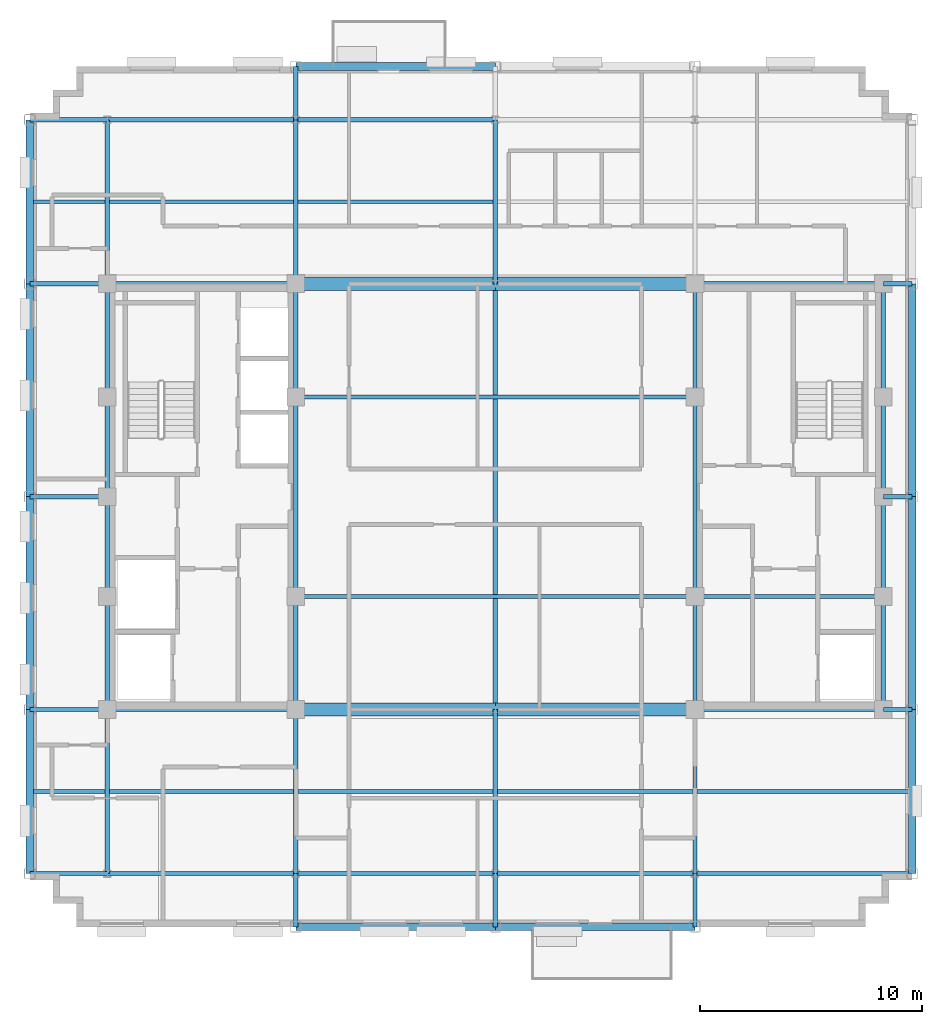
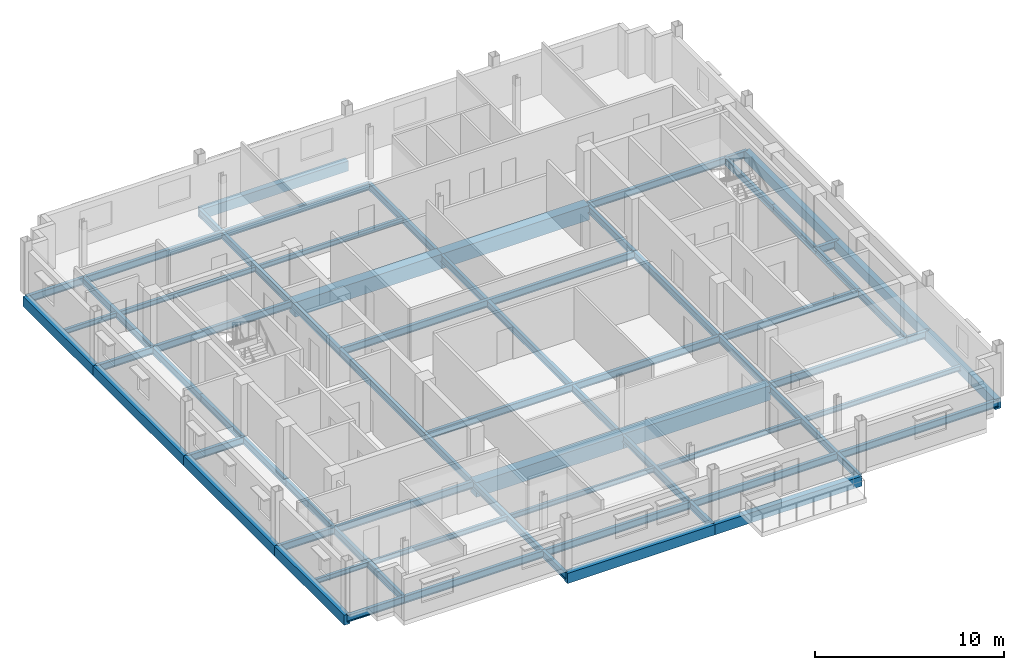
# One storey, part 4 of 13: 69 beams.
"""IFC4 building model written with IfcOpenShell, lengths in metres."""

from ifc_helpers import new_model, si_unit, direction, frame, origin, origin_2d, place, context, subcontext, project, spatial, rectangle, i_section, extrude, material, material_profile, profile_set, type_object, element, save


model = new_model("IFC4")

# Units and contexts
model_context = context("Model", 3, precision=1e-05, world=origin(), true_north=direction((0.0, 1.0)))
body_context = subcontext(model_context, "Body", "Model", "MODEL_VIEW")
ifc_project = project(units=[si_unit("LENGTHUNIT", "METRE"), si_unit("AREAUNIT", "SQUARE_METRE"), si_unit("VOLUMEUNIT", "CUBIC_METRE"), si_unit("PLANEANGLEUNIT", "RADIAN"), si_unit("MASSUNIT", "GRAM", prefix="KILO")], contexts=[model_context])

# Site, building, storey
site_placement = place(None, origin())
site = spatial("IfcSite", under=ifc_project, at=site_placement, CompositionType="ELEMENT")
building_placement = place(site_placement, origin())
building = spatial("IfcBuilding", under=site, at=building_placement, Name="Nuvemarco Arch Tower", CompositionType="ELEMENT")
storey_placement = place(building_placement, frame((0.0, 0.0, 276.199951171875)))
storey = spatial("IfcBuildingStorey", under=building, at=storey_placement, Name="L73", CompositionType="ELEMENT", Elevation=276.199951171875)

# Beams
ifc_material_1 = material(Name="Concrete C60/75", Category="concrete")
ifc_material_profile_1 = material_profile(ifc_material_1, rectangle(XDim=0.60009765625, YDim=0.949951171875, at=origin_2d()), Name="RC-BM-600x950")
ifc_profile_set_1 = profile_set([ifc_material_profile_1], Name="Concrete C60/75")
beam_type_1 = type_object("IfcBeamType", Name="BM-COUP-RC", PredefinedType="LINTEL", material=ifc_profile_set_1)
for number, where, z_axis, x_axis, name in (
    (1, (-9.0, -9.60009765625, -0.7548828125), (1.0, 0.0, 0.0), (0.0, 1.0, 0.0), "L73 structural beam BGEW_L73_0_-9.6_-9.0"),
    (2, (0.0, -9.60009765625, -0.7548828125), (1.0, 0.0, 0.0), (0.0, 1.0, 0.0), "L73 structural beam BGEW_L73_0_-9.6_+0.0"),
    (3, (-9.0, 9.60009765625, -0.7548828125), (1.0, 0.0, 0.0), (0.0, 1.0, 0.0), "L73 structural beam BGEW_L73_0_+9.6_-9.0"),
    (4, (0.0, 9.60009765625, -0.7548828125), (1.0, 0.0, 0.0), (0.0, 1.0, 0.0), "L73 structural beam BGEW_L73_0_+9.6_+0.0"),
):
    element("IfcBeam", number, at=place(storey_placement, frame(where, z_axis=z_axis, x_axis=x_axis)), inside=storey, type_object=beam_type_1, Name=name, PredefinedType="LINTEL", context=body_context, shape_type="SweptSolid", body=[
        extrude(rectangle(XDim=0.60009765625, YDim=0.949951171875, at=origin_2d()), origin(), (0.0, 0.0, 1.0), 9.0),
    ])
ifc_material_2 = material(Name="Steel S355", Category="steel")
ifc_material_profile_2 = material_profile(ifc_material_2, i_section(OverallWidth=0.19189453125, OverallDepth=0.462890625, WebThickness=0.010498046875, FlangeThickness=0.017578125, FilletRadius=0.014892578125, at=origin_2d()), Name="W460x89")
ifc_profile_set_2 = profile_set([ifc_material_profile_2], Name="Steel S355")
beam_type_2 = type_object("IfcBeamType", Name="BM-GIRD-460", PredefinedType="BEAM", material=ifc_profile_set_2)
beam_1_placement = place(storey_placement, frame((-17.5, -17.0, -0.511474609375), z_axis=(0.0, 1.0, 0.0), x_axis=(-1.0, 0.0, 0.0)))
element("IfcBeam", 5, at=beam_1_placement, inside=storey, type_object=beam_type_2, Name="L73 structural beam BGNS_L73_0_-17.5_-17.0", PredefinedType="BEAM", context=body_context, shape_type="SweptSolid", body=[
    extrude(i_section(OverallWidth=0.19189453125, OverallDepth=0.462890625, WebThickness=0.010498046875, FlangeThickness=0.017578125, FilletRadius=0.014892578125, at=origin_2d()), origin(), (0.0, 0.0, 1.0), 7.39990234375),
])
beam_2_placement = place(storey_placement, frame((-17.5, -9.60009765625, -0.511474609375), z_axis=(0.0, 1.0, 0.0), x_axis=(-1.0, 0.0, 0.0)))
element("IfcBeam", 6, at=beam_2_placement, inside=storey, type_object=beam_type_2, Name="L73 structural beam BGNS_L73_0_-17.5_-9.6", PredefinedType="BEAM", context=body_context, shape_type="SweptSolid", body=[
    extrude(i_section(OverallWidth=0.19189453125, OverallDepth=0.462890625, WebThickness=0.010498046875, FlangeThickness=0.017578125, FilletRadius=0.014892578125, at=origin_2d()), origin(), (0.0, 0.0, 1.0), 5.10009765625),
])
for number, where, z_axis, x_axis, name in (
    (7, (-17.5, -4.5, -0.511474609375), (0.0, 1.0, 0.0), (-1.0, 0.0, 0.0), "L73 structural beam BGNS_L73_0_-17.5_-4.5"),
    (8, (-17.5, 0.0, -0.511474609375), (0.0, 1.0, 0.0), (-1.0, 0.0, 0.0), "L73 structural beam BGNS_L73_0_-17.5_+0.0"),
):
    element("IfcBeam", number, at=place(storey_placement, frame(where, z_axis=z_axis, x_axis=x_axis)), inside=storey, type_object=beam_type_2, Name=name, PredefinedType="BEAM", context=body_context, shape_type="SweptSolid", body=[
        extrude(i_section(OverallWidth=0.19189453125, OverallDepth=0.462890625, WebThickness=0.010498046875, FlangeThickness=0.017578125, FilletRadius=0.014892578125, at=origin_2d()), origin(), (0.0, 0.0, 1.0), 4.5),
    ])
beam_3_placement = place(storey_placement, frame((-17.5, 4.5, -0.511474609375), z_axis=(0.0, 1.0, 0.0), x_axis=(-1.0, 0.0, 0.0)))
element("IfcBeam", 9, at=beam_3_placement, inside=storey, type_object=beam_type_2, Name="L73 structural beam BGNS_L73_0_-17.5_+4.5", PredefinedType="BEAM", context=body_context, shape_type="SweptSolid", body=[
    extrude(i_section(OverallWidth=0.19189453125, OverallDepth=0.462890625, WebThickness=0.010498046875, FlangeThickness=0.017578125, FilletRadius=0.014892578125, at=origin_2d()), origin(), (0.0, 0.0, 1.0), 5.10009765625),
])
beam_4_placement = place(storey_placement, frame((-17.5, 9.60009765625, -0.511474609375), z_axis=(0.0, 1.0, 0.0), x_axis=(-1.0, 0.0, 0.0)))
element("IfcBeam", 10, at=beam_4_placement, inside=storey, type_object=beam_type_2, Name="L73 structural beam BGNS_L73_0_-17.5_+9.6", PredefinedType="BEAM", context=body_context, shape_type="SweptSolid", body=[
    extrude(i_section(OverallWidth=0.19189453125, OverallDepth=0.462890625, WebThickness=0.010498046875, FlangeThickness=0.017578125, FilletRadius=0.014892578125, at=origin_2d()), origin(), (0.0, 0.0, 1.0), 7.39990234375),
])
beam_5_placement = place(storey_placement, frame((-9.0, -19.39990234375, -0.511474609375), z_axis=(0.0, 1.0, 0.0), x_axis=(-1.0, 0.0, 0.0)))
element("IfcBeam", 11, at=beam_5_placement, inside=storey, type_object=beam_type_2, Name="L73 structural beam BGNS_L73_0_-9.0_-19.4", PredefinedType="BEAM", context=body_context, shape_type="SweptSolid", body=[
    extrude(i_section(OverallWidth=0.19189453125, OverallDepth=0.462890625, WebThickness=0.010498046875, FlangeThickness=0.017578125, FilletRadius=0.014892578125, at=origin_2d()), origin(), (0.0, 0.0, 1.0), 2.39990234375),
])
beam_6_placement = place(storey_placement, frame((-9.0, -17.0, -0.511474609375), z_axis=(0.0, 1.0, 0.0), x_axis=(-1.0, 0.0, 0.0)))
element("IfcBeam", 12, at=beam_6_placement, inside=storey, type_object=beam_type_2, Name="L73 structural beam BGNS_L73_0_-9.0_-17.0", PredefinedType="BEAM", context=body_context, shape_type="SweptSolid", body=[
    extrude(i_section(OverallWidth=0.19189453125, OverallDepth=0.462890625, WebThickness=0.010498046875, FlangeThickness=0.017578125, FilletRadius=0.014892578125, at=origin_2d()), origin(), (0.0, 0.0, 1.0), 7.39990234375),
])
beam_7_placement = place(storey_placement, frame((-9.0, -9.60009765625, -0.511474609375), z_axis=(0.0, 1.0, 0.0), x_axis=(-1.0, 0.0, 0.0)))
element("IfcBeam", 13, at=beam_7_placement, inside=storey, type_object=beam_type_2, Name="L73 structural beam BGNS_L73_0_-9.0_-9.6", PredefinedType="BEAM", context=body_context, shape_type="SweptSolid", body=[
    extrude(i_section(OverallWidth=0.19189453125, OverallDepth=0.462890625, WebThickness=0.010498046875, FlangeThickness=0.017578125, FilletRadius=0.014892578125, at=origin_2d()), origin(), (0.0, 0.0, 1.0), 5.10009765625),
])
beam_8_placement = place(storey_placement, frame((-9.0, -4.5, -0.511474609375), z_axis=(0.0, 1.0, 0.0), x_axis=(-1.0, 0.0, 0.0)))
element("IfcBeam", 14, at=beam_8_placement, inside=storey, type_object=beam_type_2, Name="L73 structural beam BGNS_L73_0_-9.0_-4.5", PredefinedType="BEAM", context=body_context, shape_type="SweptSolid", body=[
    extrude(i_section(OverallWidth=0.19189453125, OverallDepth=0.462890625, WebThickness=0.010498046875, FlangeThickness=0.017578125, FilletRadius=0.014892578125, at=origin_2d()), origin(), (0.0, 0.0, 1.0), 9.0),
])
beam_9_placement = place(storey_placement, frame((-9.0, 4.5, -0.511474609375), z_axis=(0.0, 1.0, 0.0), x_axis=(-1.0, 0.0, 0.0)))
element("IfcBeam", 15, at=beam_9_placement, inside=storey, type_object=beam_type_2, Name="L73 structural beam BGNS_L73_0_-9.0_+4.5", PredefinedType="BEAM", context=body_context, shape_type="SweptSolid", body=[
    extrude(i_section(OverallWidth=0.19189453125, OverallDepth=0.462890625, WebThickness=0.010498046875, FlangeThickness=0.017578125, FilletRadius=0.014892578125, at=origin_2d()), origin(), (0.0, 0.0, 1.0), 5.10009765625),
])
beam_10_placement = place(storey_placement, frame((-9.0, 9.60009765625, -0.511474609375), z_axis=(0.0, 1.0, 0.0), x_axis=(-1.0, 0.0, 0.0)))
element("IfcBeam", 16, at=beam_10_placement, inside=storey, type_object=beam_type_2, Name="L73 structural beam BGNS_L73_0_-9.0_+9.6", PredefinedType="BEAM", context=body_context, shape_type="SweptSolid", body=[
    extrude(i_section(OverallWidth=0.19189453125, OverallDepth=0.462890625, WebThickness=0.010498046875, FlangeThickness=0.017578125, FilletRadius=0.014892578125, at=origin_2d()), origin(), (0.0, 0.0, 1.0), 7.39990234375),
])
for number, where, z_axis, x_axis, name in (
    (17, (-9.0, 17.0, -0.511474609375), (0.0, 1.0, 0.0), (-1.0, 0.0, 0.0), "L73 structural beam BGNS_L73_0_-9.0_+17.0"),
    (18, (0.0, -19.39990234375, -0.511474609375), (0.0, 1.0, 0.0), (-1.0, 0.0, 0.0), "L73 structural beam BGNS_L73_0_+0.0_-19.4"),
):
    element("IfcBeam", number, at=place(storey_placement, frame(where, z_axis=z_axis, x_axis=x_axis)), inside=storey, type_object=beam_type_2, Name=name, PredefinedType="BEAM", context=body_context, shape_type="SweptSolid", body=[
        extrude(i_section(OverallWidth=0.19189453125, OverallDepth=0.462890625, WebThickness=0.010498046875, FlangeThickness=0.017578125, FilletRadius=0.014892578125, at=origin_2d()), origin(), (0.0, 0.0, 1.0), 2.39990234375),
    ])
beam_11_placement = place(storey_placement, frame((0.0, -17.0, -0.511474609375), z_axis=(0.0, 1.0, 0.0), x_axis=(-1.0, 0.0, 0.0)))
element("IfcBeam", 19, at=beam_11_placement, inside=storey, type_object=beam_type_2, Name="L73 structural beam BGNS_L73_0_+0.0_-17.0", PredefinedType="BEAM", context=body_context, shape_type="SweptSolid", body=[
    extrude(i_section(OverallWidth=0.19189453125, OverallDepth=0.462890625, WebThickness=0.010498046875, FlangeThickness=0.017578125, FilletRadius=0.014892578125, at=origin_2d()), origin(), (0.0, 0.0, 1.0), 7.39990234375),
])
beam_12_placement = place(storey_placement, frame((0.0, -9.60009765625, -0.511474609375), z_axis=(0.0, 1.0, 0.0), x_axis=(-1.0, 0.0, 0.0)))
element("IfcBeam", 20, at=beam_12_placement, inside=storey, type_object=beam_type_2, Name="L73 structural beam BGNS_L73_0_+0.0_-9.6", PredefinedType="BEAM", context=body_context, shape_type="SweptSolid", body=[
    extrude(i_section(OverallWidth=0.19189453125, OverallDepth=0.462890625, WebThickness=0.010498046875, FlangeThickness=0.017578125, FilletRadius=0.014892578125, at=origin_2d()), origin(), (0.0, 0.0, 1.0), 19.2001953125),
])
beam_13_placement = place(storey_placement, frame((0.0, 9.60009765625, -0.511474609375), z_axis=(0.0, 1.0, 0.0), x_axis=(-1.0, 0.0, 0.0)))
element("IfcBeam", 21, at=beam_13_placement, inside=storey, type_object=beam_type_2, Name="L73 structural beam BGNS_L73_0_+0.0_+9.6", PredefinedType="BEAM", context=body_context, shape_type="SweptSolid", body=[
    extrude(i_section(OverallWidth=0.19189453125, OverallDepth=0.462890625, WebThickness=0.010498046875, FlangeThickness=0.017578125, FilletRadius=0.014892578125, at=origin_2d()), origin(), (0.0, 0.0, 1.0), 7.39990234375),
])
beam_14_placement = place(storey_placement, frame((9.0, -19.39990234375, -0.511474609375), z_axis=(0.0, 1.0, 0.0), x_axis=(-1.0, 0.0, 0.0)))
element("IfcBeam", 22, at=beam_14_placement, inside=storey, type_object=beam_type_2, Name="L73 structural beam BGNS_L73_0_+9.0_-19.4", PredefinedType="BEAM", context=body_context, shape_type="SweptSolid", body=[
    extrude(i_section(OverallWidth=0.19189453125, OverallDepth=0.462890625, WebThickness=0.010498046875, FlangeThickness=0.017578125, FilletRadius=0.014892578125, at=origin_2d()), origin(), (0.0, 0.0, 1.0), 2.39990234375),
])
beam_15_placement = place(storey_placement, frame((9.0, -17.0, -0.511474609375), z_axis=(0.0, 1.0, 0.0), x_axis=(-1.0, 0.0, 0.0)))
element("IfcBeam", 23, at=beam_15_placement, inside=storey, type_object=beam_type_2, Name="L73 structural beam BGNS_L73_0_+9.0_-17.0", PredefinedType="BEAM", context=body_context, shape_type="SweptSolid", body=[
    extrude(i_section(OverallWidth=0.19189453125, OverallDepth=0.462890625, WebThickness=0.010498046875, FlangeThickness=0.017578125, FilletRadius=0.014892578125, at=origin_2d()), origin(), (0.0, 0.0, 1.0), 7.39990234375),
])
beam_16_placement = place(storey_placement, frame((9.0, -9.60009765625, -0.511474609375), z_axis=(0.0, 1.0, 0.0), x_axis=(-1.0, 0.0, 0.0)))
element("IfcBeam", 24, at=beam_16_placement, inside=storey, type_object=beam_type_2, Name="L73 structural beam BGNS_L73_0_+9.0_-9.6", PredefinedType="BEAM", context=body_context, shape_type="SweptSolid", body=[
    extrude(i_section(OverallWidth=0.19189453125, OverallDepth=0.462890625, WebThickness=0.010498046875, FlangeThickness=0.017578125, FilletRadius=0.014892578125, at=origin_2d()), origin(), (0.0, 0.0, 1.0), 5.10009765625),
])
beam_17_placement = place(storey_placement, frame((9.0, -4.5, -0.511474609375), z_axis=(0.0, 1.0, 0.0), x_axis=(-1.0, 0.0, 0.0)))
element("IfcBeam", 25, at=beam_17_placement, inside=storey, type_object=beam_type_2, Name="L73 structural beam BGNS_L73_0_+9.0_-4.5", PredefinedType="BEAM", context=body_context, shape_type="SweptSolid", body=[
    extrude(i_section(OverallWidth=0.19189453125, OverallDepth=0.462890625, WebThickness=0.010498046875, FlangeThickness=0.017578125, FilletRadius=0.014892578125, at=origin_2d()), origin(), (0.0, 0.0, 1.0), 9.0),
])
for number, where, z_axis, x_axis, name in (
    (26, (9.0, 4.5, -0.511474609375), (0.0, 1.0, 0.0), (-1.0, 0.0, 0.0), "L73 structural beam BGNS_L73_0_+9.0_+4.5"),
    (27, (17.5, -9.60009765625, -0.511474609375), (0.0, 1.0, 0.0), (-1.0, 0.0, 0.0), "L73 structural beam BGNS_L73_0_+17.5_-9.6"),
):
    element("IfcBeam", number, at=place(storey_placement, frame(where, z_axis=z_axis, x_axis=x_axis)), inside=storey, type_object=beam_type_2, Name=name, PredefinedType="BEAM", context=body_context, shape_type="SweptSolid", body=[
        extrude(i_section(OverallWidth=0.19189453125, OverallDepth=0.462890625, WebThickness=0.010498046875, FlangeThickness=0.017578125, FilletRadius=0.014892578125, at=origin_2d()), origin(), (0.0, 0.0, 1.0), 5.10009765625),
    ])
for number, where, z_axis, x_axis, name in (
    (28, (17.5, -4.5, -0.511474609375), (0.0, 1.0, 0.0), (-1.0, 0.0, 0.0), "L73 structural beam BGNS_L73_0_+17.5_-4.5"),
    (29, (17.5, 0.0, -0.511474609375), (0.0, 1.0, 0.0), (-1.0, 0.0, 0.0), "L73 structural beam BGNS_L73_0_+17.5_+0.0"),
):
    element("IfcBeam", number, at=place(storey_placement, frame(where, z_axis=z_axis, x_axis=x_axis)), inside=storey, type_object=beam_type_2, Name=name, PredefinedType="BEAM", context=body_context, shape_type="SweptSolid", body=[
        extrude(i_section(OverallWidth=0.19189453125, OverallDepth=0.462890625, WebThickness=0.010498046875, FlangeThickness=0.017578125, FilletRadius=0.014892578125, at=origin_2d()), origin(), (0.0, 0.0, 1.0), 4.5),
    ])
beam_18_placement = place(storey_placement, frame((17.5, 4.5, -0.511474609375), z_axis=(0.0, 1.0, 0.0), x_axis=(-1.0, 0.0, 0.0)))
element("IfcBeam", 30, at=beam_18_placement, inside=storey, type_object=beam_type_2, Name="L73 structural beam BGNS_L73_0_+17.5_+4.5", PredefinedType="BEAM", context=body_context, shape_type="SweptSolid", body=[
    extrude(i_section(OverallWidth=0.19189453125, OverallDepth=0.462890625, WebThickness=0.010498046875, FlangeThickness=0.017578125, FilletRadius=0.014892578125, at=origin_2d()), origin(), (0.0, 0.0, 1.0), 5.10009765625),
])
beam_19_placement = place(storey_placement, frame((-21.0, -17.0, -0.511474609375), z_axis=(1.0, 0.0, 0.0), x_axis=(0.0, 1.0, 0.0)))
element("IfcBeam", 31, at=beam_19_placement, inside=storey, type_object=beam_type_2, Name="L73 structural beam BGEW_L73_0_-17.0_-21.0", PredefinedType="BEAM", context=body_context, shape_type="SweptSolid", body=[
    extrude(i_section(OverallWidth=0.19189453125, OverallDepth=0.462890625, WebThickness=0.010498046875, FlangeThickness=0.017578125, FilletRadius=0.014892578125, at=origin_2d()), origin(), (0.0, 0.0, 1.0), 3.5),
])
beam_20_placement = place(storey_placement, frame((-17.5, -17.0, -0.511474609375), z_axis=(1.0, 0.0, 0.0), x_axis=(0.0, 1.0, 0.0)))
element("IfcBeam", 32, at=beam_20_placement, inside=storey, type_object=beam_type_2, Name="L73 structural beam BGEW_L73_0_-17.0_-17.5", PredefinedType="BEAM", context=body_context, shape_type="SweptSolid", body=[
    extrude(i_section(OverallWidth=0.19189453125, OverallDepth=0.462890625, WebThickness=0.010498046875, FlangeThickness=0.017578125, FilletRadius=0.014892578125, at=origin_2d()), origin(), (0.0, 0.0, 1.0), 8.5),
])
for number, where, z_axis, x_axis, name in (
    (33, (-9.0, -17.0, -0.511474609375), (1.0, 0.0, 0.0), (0.0, 1.0, 0.0), "L73 structural beam BGEW_L73_0_-17.0_-9.0"),
    (34, (0.0, -17.0, -0.511474609375), (1.0, 0.0, 0.0), (0.0, 1.0, 0.0), "L73 structural beam BGEW_L73_0_-17.0_+0.0"),
):
    element("IfcBeam", number, at=place(storey_placement, frame(where, z_axis=z_axis, x_axis=x_axis)), inside=storey, type_object=beam_type_2, Name=name, PredefinedType="BEAM", context=body_context, shape_type="SweptSolid", body=[
        extrude(i_section(OverallWidth=0.19189453125, OverallDepth=0.462890625, WebThickness=0.010498046875, FlangeThickness=0.017578125, FilletRadius=0.014892578125, at=origin_2d()), origin(), (0.0, 0.0, 1.0), 9.0),
    ])
beam_21_placement = place(storey_placement, frame((9.0, -17.0, -0.511474609375), z_axis=(1.0, 0.0, 0.0), x_axis=(0.0, 1.0, 0.0)))
element("IfcBeam", 35, at=beam_21_placement, inside=storey, type_object=beam_type_2, Name="L73 structural beam BGEW_L73_0_-17.0_+9.0", PredefinedType="BEAM", context=body_context, shape_type="SweptSolid", body=[
    extrude(i_section(OverallWidth=0.19189453125, OverallDepth=0.462890625, WebThickness=0.010498046875, FlangeThickness=0.017578125, FilletRadius=0.014892578125, at=origin_2d()), origin(), (0.0, 0.0, 1.0), 9.800048828125),
])
beam_22_placement = place(storey_placement, frame((-21.0, -9.60009765625, -0.511474609375), z_axis=(1.0, 0.0, 0.0), x_axis=(0.0, 1.0, 0.0)))
element("IfcBeam", 36, at=beam_22_placement, inside=storey, type_object=beam_type_2, Name="L73 structural beam BGEW_L73_0_-9.6_-21.0", PredefinedType="BEAM", context=body_context, shape_type="SweptSolid", body=[
    extrude(i_section(OverallWidth=0.19189453125, OverallDepth=0.462890625, WebThickness=0.010498046875, FlangeThickness=0.017578125, FilletRadius=0.014892578125, at=origin_2d()), origin(), (0.0, 0.0, 1.0), 3.5),
])
for number, where, z_axis, x_axis, name in (
    (37, (-17.5, -9.60009765625, -0.511474609375), (1.0, 0.0, 0.0), (0.0, 1.0, 0.0), "L73 structural beam BGEW_L73_0_-9.6_-17.5"),
    (38, (9.0, -9.60009765625, -0.511474609375), (1.0, 0.0, 0.0), (0.0, 1.0, 0.0), "L73 structural beam BGEW_L73_0_-9.6_+9.0"),
):
    element("IfcBeam", number, at=place(storey_placement, frame(where, z_axis=z_axis, x_axis=x_axis)), inside=storey, type_object=beam_type_2, Name=name, PredefinedType="BEAM", context=body_context, shape_type="SweptSolid", body=[
        extrude(i_section(OverallWidth=0.19189453125, OverallDepth=0.462890625, WebThickness=0.010498046875, FlangeThickness=0.017578125, FilletRadius=0.014892578125, at=origin_2d()), origin(), (0.0, 0.0, 1.0), 8.5),
    ])
beam_23_placement = place(storey_placement, frame((17.5, -9.60009765625, -0.511474609375), z_axis=(1.0, 0.0, 0.0), x_axis=(0.0, 1.0, 0.0)))
element("IfcBeam", 39, at=beam_23_placement, inside=storey, type_object=beam_type_2, Name="L73 structural beam BGEW_L73_0_-9.6_+17.5", PredefinedType="BEAM", context=body_context, shape_type="SweptSolid", body=[
    extrude(i_section(OverallWidth=0.19189453125, OverallDepth=0.462890625, WebThickness=0.010498046875, FlangeThickness=0.017578125, FilletRadius=0.014892578125, at=origin_2d()), origin(), (0.0, 0.0, 1.0), 1.300048828125),
])
beam_24_placement = place(storey_placement, frame((-9.0, -4.5, -0.511474609375), z_axis=(1.0, 0.0, 0.0), x_axis=(0.0, 1.0, 0.0)))
element("IfcBeam", 40, at=beam_24_placement, inside=storey, type_object=beam_type_2, Name="L73 structural beam BGEW_L73_0_-4.5_-9.0", PredefinedType="BEAM", context=body_context, shape_type="SweptSolid", body=[
    extrude(i_section(OverallWidth=0.19189453125, OverallDepth=0.462890625, WebThickness=0.010498046875, FlangeThickness=0.017578125, FilletRadius=0.014892578125, at=origin_2d()), origin(), (0.0, 0.0, 1.0), 18.0),
])
beam_25_placement = place(storey_placement, frame((9.0, -4.5, -0.511474609375), z_axis=(1.0, 0.0, 0.0), x_axis=(0.0, 1.0, 0.0)))
element("IfcBeam", 41, at=beam_25_placement, inside=storey, type_object=beam_type_2, Name="L73 structural beam BGEW_L73_0_-4.5_+9.0", PredefinedType="BEAM", context=body_context, shape_type="SweptSolid", body=[
    extrude(i_section(OverallWidth=0.19189453125, OverallDepth=0.462890625, WebThickness=0.010498046875, FlangeThickness=0.017578125, FilletRadius=0.014892578125, at=origin_2d()), origin(), (0.0, 0.0, 1.0), 8.5),
])
beam_26_placement = place(storey_placement, frame((-21.0, 0.0, -0.511474609375), z_axis=(1.0, 0.0, 0.0), x_axis=(0.0, 1.0, 0.0)))
element("IfcBeam", 42, at=beam_26_placement, inside=storey, type_object=beam_type_2, Name="L73 structural beam BGEW_L73_0_+0.0_-21.0", PredefinedType="BEAM", context=body_context, shape_type="SweptSolid", body=[
    extrude(i_section(OverallWidth=0.19189453125, OverallDepth=0.462890625, WebThickness=0.010498046875, FlangeThickness=0.017578125, FilletRadius=0.014892578125, at=origin_2d()), origin(), (0.0, 0.0, 1.0), 3.5),
])
beam_27_placement = place(storey_placement, frame((17.5, 0.0, -0.511474609375), z_axis=(1.0, 0.0, 0.0), x_axis=(0.0, 1.0, 0.0)))
element("IfcBeam", 43, at=beam_27_placement, inside=storey, type_object=beam_type_2, Name="L73 structural beam BGEW_L73_0_+0.0_+17.5", PredefinedType="BEAM", context=body_context, shape_type="SweptSolid", body=[
    extrude(i_section(OverallWidth=0.19189453125, OverallDepth=0.462890625, WebThickness=0.010498046875, FlangeThickness=0.017578125, FilletRadius=0.014892578125, at=origin_2d()), origin(), (0.0, 0.0, 1.0), 1.300048828125),
])
beam_28_placement = place(storey_placement, frame((-9.0, 4.5, -0.511474609375), z_axis=(1.0, 0.0, 0.0), x_axis=(0.0, 1.0, 0.0)))
element("IfcBeam", 44, at=beam_28_placement, inside=storey, type_object=beam_type_2, Name="L73 structural beam BGEW_L73_0_+4.5_-9.0", PredefinedType="BEAM", context=body_context, shape_type="SweptSolid", body=[
    extrude(i_section(OverallWidth=0.19189453125, OverallDepth=0.462890625, WebThickness=0.010498046875, FlangeThickness=0.017578125, FilletRadius=0.014892578125, at=origin_2d()), origin(), (0.0, 0.0, 1.0), 18.0),
])
beam_29_placement = place(storey_placement, frame((-21.0, 9.60009765625, -0.511474609375), z_axis=(1.0, 0.0, 0.0), x_axis=(0.0, 1.0, 0.0)))
element("IfcBeam", 45, at=beam_29_placement, inside=storey, type_object=beam_type_2, Name="L73 structural beam BGEW_L73_0_+9.6_-21.0", PredefinedType="BEAM", context=body_context, shape_type="SweptSolid", body=[
    extrude(i_section(OverallWidth=0.19189453125, OverallDepth=0.462890625, WebThickness=0.010498046875, FlangeThickness=0.017578125, FilletRadius=0.014892578125, at=origin_2d()), origin(), (0.0, 0.0, 1.0), 3.5),
])
for number, where, z_axis, x_axis, name in (
    (46, (-17.5, 9.60009765625, -0.511474609375), (1.0, 0.0, 0.0), (0.0, 1.0, 0.0), "L73 structural beam BGEW_L73_0_+9.6_-17.5"),
    (47, (9.0, 9.60009765625, -0.511474609375), (1.0, 0.0, 0.0), (0.0, 1.0, 0.0), "L73 structural beam BGEW_L73_0_+9.6_+9.0"),
):
    element("IfcBeam", number, at=place(storey_placement, frame(where, z_axis=z_axis, x_axis=x_axis)), inside=storey, type_object=beam_type_2, Name=name, PredefinedType="BEAM", context=body_context, shape_type="SweptSolid", body=[
        extrude(i_section(OverallWidth=0.19189453125, OverallDepth=0.462890625, WebThickness=0.010498046875, FlangeThickness=0.017578125, FilletRadius=0.014892578125, at=origin_2d()), origin(), (0.0, 0.0, 1.0), 8.5),
    ])
beam_30_placement = place(storey_placement, frame((17.5, 9.60009765625, -0.511474609375), z_axis=(1.0, 0.0, 0.0), x_axis=(0.0, 1.0, 0.0)))
element("IfcBeam", 48, at=beam_30_placement, inside=storey, type_object=beam_type_2, Name="L73 structural beam BGEW_L73_0_+9.6_+17.5", PredefinedType="BEAM", context=body_context, shape_type="SweptSolid", body=[
    extrude(i_section(OverallWidth=0.19189453125, OverallDepth=0.462890625, WebThickness=0.010498046875, FlangeThickness=0.017578125, FilletRadius=0.014892578125, at=origin_2d()), origin(), (0.0, 0.0, 1.0), 1.300048828125),
])
beam_31_placement = place(storey_placement, frame((-21.0, 17.0, -0.511474609375), z_axis=(1.0, 0.0, 0.0), x_axis=(0.0, 1.0, 0.0)))
element("IfcBeam", 49, at=beam_31_placement, inside=storey, type_object=beam_type_2, Name="L73 structural beam BGEW_L73_0_+17.0_-21.0", PredefinedType="BEAM", context=body_context, shape_type="SweptSolid", body=[
    extrude(i_section(OverallWidth=0.19189453125, OverallDepth=0.462890625, WebThickness=0.010498046875, FlangeThickness=0.017578125, FilletRadius=0.014892578125, at=origin_2d()), origin(), (0.0, 0.0, 1.0), 3.5),
])
beam_32_placement = place(storey_placement, frame((-17.5, 17.0, -0.511474609375), z_axis=(1.0, 0.0, 0.0), x_axis=(0.0, 1.0, 0.0)))
element("IfcBeam", 50, at=beam_32_placement, inside=storey, type_object=beam_type_2, Name="L73 structural beam BGEW_L73_0_+17.0_-17.5", PredefinedType="BEAM", context=body_context, shape_type="SweptSolid", body=[
    extrude(i_section(OverallWidth=0.19189453125, OverallDepth=0.462890625, WebThickness=0.010498046875, FlangeThickness=0.017578125, FilletRadius=0.014892578125, at=origin_2d()), origin(), (0.0, 0.0, 1.0), 8.5),
])
beam_33_placement = place(storey_placement, frame((-9.0, 17.0, -0.511474609375), z_axis=(1.0, 0.0, 0.0), x_axis=(0.0, 1.0, 0.0)))
element("IfcBeam", 51, at=beam_33_placement, inside=storey, type_object=beam_type_2, Name="L73 structural beam BGEW_L73_0_+17.0_-9.0", PredefinedType="BEAM", context=body_context, shape_type="SweptSolid", body=[
    extrude(i_section(OverallWidth=0.19189453125, OverallDepth=0.462890625, WebThickness=0.010498046875, FlangeThickness=0.017578125, FilletRadius=0.014892578125, at=origin_2d()), origin(), (0.0, 0.0, 1.0), 9.0),
])
ifc_material_profile_3 = material_profile(ifc_material_2, i_section(OverallWidth=0.1669921875, OverallDepth=0.31689453125, WebThickness=0.007568359375, FlangeThickness=0.01318359375, FilletRadius=0.010009765625, at=origin_2d()), Name="W310x52")
ifc_profile_set_3 = profile_set([ifc_material_profile_3], Name="Steel S355")
beam_type_3 = type_object("IfcBeamType", Name="BM-JOIST-310", PredefinedType="JOIST", material=ifc_profile_set_3)
beam_34_placement = place(storey_placement, frame((-20.824951171875, -13.300048828125, -0.4384765625), z_axis=(1.0, 0.0, 0.0), x_axis=(0.0, 1.0, 0.0)))
element("IfcBeam", 52, at=beam_34_placement, inside=storey, type_object=beam_type_3, Name="L73 structural beam BJ_L73_0_-13.3_-21.0", PredefinedType="JOIST", context=body_context, shape_type="SweptSolid", body=[
    extrude(i_section(OverallWidth=0.1669921875, OverallDepth=0.31689453125, WebThickness=0.007568359375, FlangeThickness=0.01318359375, FilletRadius=0.010009765625, at=origin_2d()), origin(), (0.0, 0.0, 1.0), 3.22900390625),
])
beam_35_placement = place(storey_placement, frame((-17.404052734375, -13.300048828125, -0.4384765625), z_axis=(1.0, 0.0, 0.0), x_axis=(0.0, 1.0, 0.0)))
element("IfcBeam", 53, at=beam_35_placement, inside=storey, type_object=beam_type_3, Name="L73 structural beam BJ_L73_0_-13.3_-17.5", PredefinedType="JOIST", context=body_context, shape_type="SweptSolid", body=[
    extrude(i_section(OverallWidth=0.1669921875, OverallDepth=0.31689453125, WebThickness=0.007568359375, FlangeThickness=0.01318359375, FilletRadius=0.010009765625, at=origin_2d()), origin(), (0.0, 0.0, 1.0), 8.30810546875),
])
for number, where, z_axis, x_axis, name in (
    (54, (-8.904052734375, -13.300048828125, -0.4384765625), (1.0, 0.0, 0.0), (0.0, 1.0, 0.0), "L73 structural beam BJ_L73_0_-13.3_-9.0"),
    (55, (0.095947265625, -13.300048828125, -0.4384765625), (1.0, 0.0, 0.0), (0.0, 1.0, 0.0), "L73 structural beam BJ_L73_0_-13.3_+0.0"),
):
    element("IfcBeam", number, at=place(storey_placement, frame(where, z_axis=z_axis, x_axis=x_axis)), inside=storey, type_object=beam_type_3, Name=name, PredefinedType="JOIST", context=body_context, shape_type="SweptSolid", body=[
        extrude(i_section(OverallWidth=0.1669921875, OverallDepth=0.31689453125, WebThickness=0.007568359375, FlangeThickness=0.01318359375, FilletRadius=0.010009765625, at=origin_2d()), origin(), (0.0, 0.0, 1.0), 8.80810546875),
    ])
beam_36_placement = place(storey_placement, frame((9.095947265625, -13.300048828125, -0.4384765625), z_axis=(1.0, 0.0, 0.0), x_axis=(0.0, 1.0, 0.0)))
element("IfcBeam", 56, at=beam_36_placement, inside=storey, type_object=beam_type_3, Name="L73 structural beam BJ_L73_0_-13.3_+9.0", PredefinedType="JOIST", context=body_context, shape_type="SweptSolid", body=[
    extrude(i_section(OverallWidth=0.1669921875, OverallDepth=0.31689453125, WebThickness=0.007568359375, FlangeThickness=0.01318359375, FilletRadius=0.010009765625, at=origin_2d()), origin(), (0.0, 0.0, 1.0), 9.529052734375),
])
beam_37_placement = place(storey_placement, frame((-20.824951171875, 13.300048828125, -0.4384765625), z_axis=(1.0, 0.0, 0.0), x_axis=(0.0, 1.0, 0.0)))
element("IfcBeam", 57, at=beam_37_placement, inside=storey, type_object=beam_type_3, Name="L73 structural beam BJ_L73_0_+13.3_-21.0", PredefinedType="JOIST", context=body_context, shape_type="SweptSolid", body=[
    extrude(i_section(OverallWidth=0.1669921875, OverallDepth=0.31689453125, WebThickness=0.007568359375, FlangeThickness=0.01318359375, FilletRadius=0.010009765625, at=origin_2d()), origin(), (0.0, 0.0, 1.0), 3.22900390625),
])
beam_38_placement = place(storey_placement, frame((-17.404052734375, 13.300048828125, -0.4384765625), z_axis=(1.0, 0.0, 0.0), x_axis=(0.0, 1.0, 0.0)))
element("IfcBeam", 58, at=beam_38_placement, inside=storey, type_object=beam_type_3, Name="L73 structural beam BJ_L73_0_+13.3_-17.5", PredefinedType="JOIST", context=body_context, shape_type="SweptSolid", body=[
    extrude(i_section(OverallWidth=0.1669921875, OverallDepth=0.31689453125, WebThickness=0.007568359375, FlangeThickness=0.01318359375, FilletRadius=0.010009765625, at=origin_2d()), origin(), (0.0, 0.0, 1.0), 8.30810546875),
])
beam_39_placement = place(storey_placement, frame((-8.904052734375, 13.300048828125, -0.4384765625), z_axis=(1.0, 0.0, 0.0), x_axis=(0.0, 1.0, 0.0)))
element("IfcBeam", 59, at=beam_39_placement, inside=storey, type_object=beam_type_3, Name="L73 structural beam BJ_L73_0_+13.3_-9.0", PredefinedType="JOIST", context=body_context, shape_type="SweptSolid", body=[
    extrude(i_section(OverallWidth=0.1669921875, OverallDepth=0.31689453125, WebThickness=0.007568359375, FlangeThickness=0.01318359375, FilletRadius=0.010009765625, at=origin_2d()), origin(), (0.0, 0.0, 1.0), 8.80810546875),
])
ifc_material_3 = material(Name="Precast concrete C45/55", Category="concrete")
ifc_material_profile_4 = material_profile(ifc_material_3, rectangle(XDim=0.35009765625, YDim=0.64990234375, at=origin_2d()), Name="PC-SP-350x650")
ifc_profile_set_4 = profile_set([ifc_material_profile_4], Name="Precast concrete C45/55")
beam_type_4 = type_object("IfcBeamType", Name="BM-SPAN-RC", PredefinedType="SPANDREL", material=ifc_profile_set_4)
beam_40_placement = place(storey_placement, frame((-21.0, -17.0, -0.60498046875), z_axis=(0.0, 1.0, 0.0), x_axis=(-1.0, 0.0, 0.0)))
element("IfcBeam", 60, at=beam_40_placement, inside=storey, type_object=beam_type_4, Name="L73 structural beam BGNS_L73_0_-21.0_-17.0", PredefinedType="SPANDREL", context=body_context, shape_type="SweptSolid", body=[
    extrude(rectangle(XDim=0.35009765625, YDim=0.64990234375, at=origin_2d()), origin(), (0.0, 0.0, 1.0), 7.39990234375),
])
for number, where, z_axis, x_axis, name in (
    (61, (-21.0, -9.60009765625, -0.60498046875), (0.0, 1.0, 0.0), (-1.0, 0.0, 0.0), "L73 structural beam BGNS_L73_0_-21.0_-9.6"),
    (62, (-21.0, 0.0, -0.60498046875), (0.0, 1.0, 0.0), (-1.0, 0.0, 0.0), "L73 structural beam BGNS_L73_0_-21.0_+0.0"),
):
    element("IfcBeam", number, at=place(storey_placement, frame(where, z_axis=z_axis, x_axis=x_axis)), inside=storey, type_object=beam_type_4, Name=name, PredefinedType="SPANDREL", context=body_context, shape_type="SweptSolid", body=[
        extrude(rectangle(XDim=0.35009765625, YDim=0.64990234375, at=origin_2d()), origin(), (0.0, 0.0, 1.0), 9.60009765625),
    ])
for number, where, z_axis, x_axis, name in (
    (63, (-21.0, 9.60009765625, -0.60498046875), (0.0, 1.0, 0.0), (-1.0, 0.0, 0.0), "L73 structural beam BGNS_L73_0_-21.0_+9.6"),
    (64, (18.800048828125, -17.0, -0.60498046875), (0.0, 1.0, 0.0), (-1.0, 0.0, 0.0), "L73 structural beam BGNS_L73_0_+18.8_-17.0"),
):
    element("IfcBeam", number, at=place(storey_placement, frame(where, z_axis=z_axis, x_axis=x_axis)), inside=storey, type_object=beam_type_4, Name=name, PredefinedType="SPANDREL", context=body_context, shape_type="SweptSolid", body=[
        extrude(rectangle(XDim=0.35009765625, YDim=0.64990234375, at=origin_2d()), origin(), (0.0, 0.0, 1.0), 7.39990234375),
    ])
for number, where, z_axis, x_axis, name in (
    (65, (18.800048828125, -9.60009765625, -0.60498046875), (0.0, 1.0, 0.0), (-1.0, 0.0, 0.0), "L73 structural beam BGNS_L73_0_+18.8_-9.6"),
    (66, (18.800048828125, 0.0, -0.60498046875), (0.0, 1.0, 0.0), (-1.0, 0.0, 0.0), "L73 structural beam BGNS_L73_0_+18.8_+0.0"),
):
    element("IfcBeam", number, at=place(storey_placement, frame(where, z_axis=z_axis, x_axis=x_axis)), inside=storey, type_object=beam_type_4, Name=name, PredefinedType="SPANDREL", context=body_context, shape_type="SweptSolid", body=[
        extrude(rectangle(XDim=0.35009765625, YDim=0.64990234375, at=origin_2d()), origin(), (0.0, 0.0, 1.0), 9.60009765625),
    ])
for number, where, z_axis, x_axis, name in (
    (67, (-9.0, -19.39990234375, -0.60498046875), (1.0, 0.0, 0.0), (0.0, 1.0, 0.0), "L73 structural beam BGEW_L73_0_-19.4_-9.0"),
    (68, (0.0, -19.39990234375, -0.60498046875), (1.0, 0.0, 0.0), (0.0, 1.0, 0.0), "L73 structural beam BGEW_L73_0_-19.4_+0.0"),
    (69, (-9.0, 19.39990234375, -0.60498046875), (1.0, 0.0, 0.0), (0.0, 1.0, 0.0), "L73 structural beam BGEW_L73_0_+19.4_-9.0"),
):
    element("IfcBeam", number, at=place(storey_placement, frame(where, z_axis=z_axis, x_axis=x_axis)), inside=storey, type_object=beam_type_4, Name=name, PredefinedType="SPANDREL", context=body_context, shape_type="SweptSolid", body=[
        extrude(rectangle(XDim=0.35009765625, YDim=0.64990234375, at=origin_2d()), origin(), (0.0, 0.0, 1.0), 9.0),
    ])

save(model, "model.ifc")
